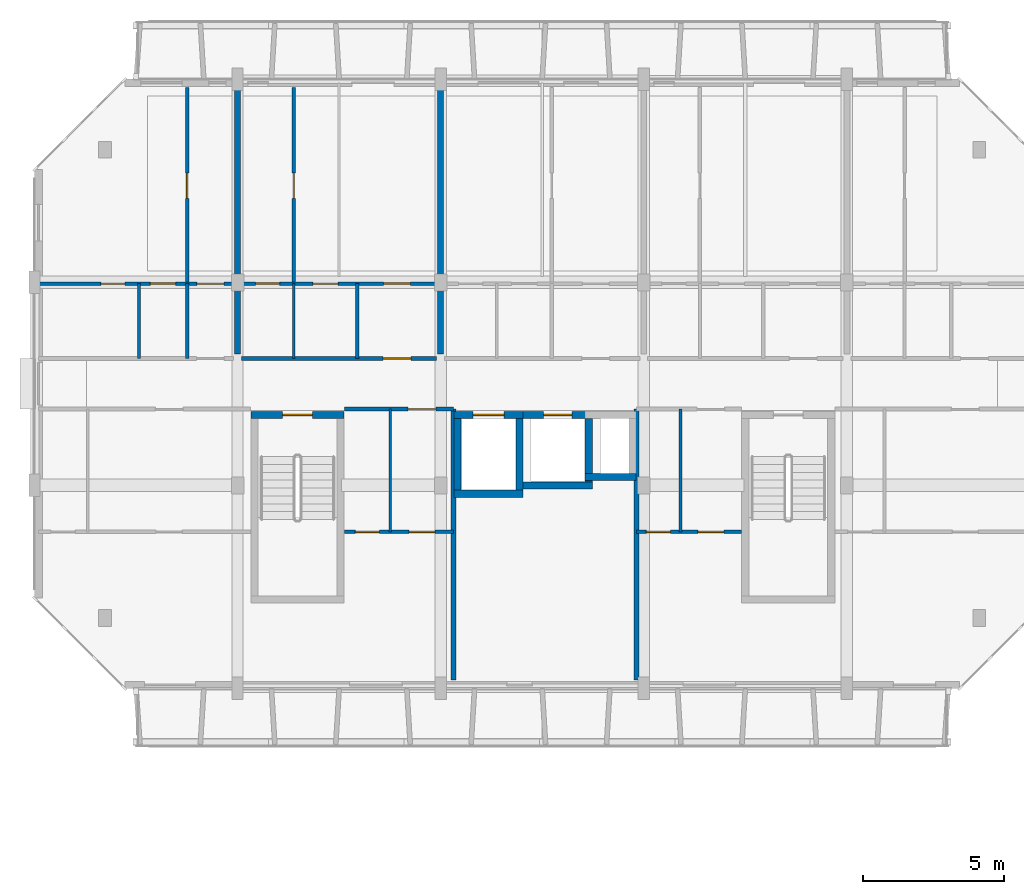
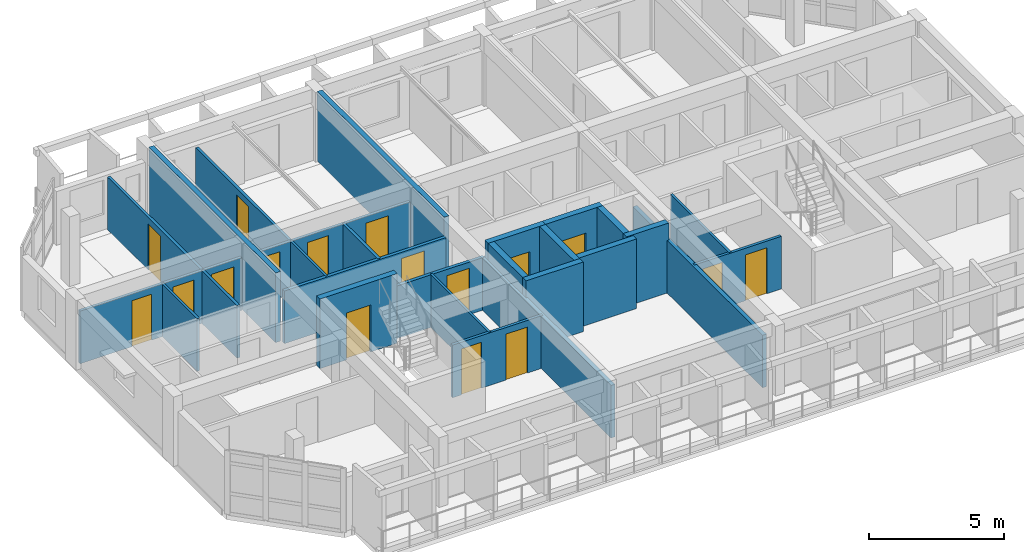
# One storey, part 21 of 46: 27 walls, 17 doors, 17 openings.
"""IFC4 building model written with IfcOpenShell, lengths in metres."""

from ifc_helpers import new_model, si_unit, direction, frame, frame_2d, origin, place, context, subcontext, project, spatial, rectangle, extrude, material, layer, layer_set, type_object, element, fill, save


model = new_model("IFC4")

# Units and contexts
model_context = context("Model", 3, precision=1e-05, world=origin(), true_north=direction((0.0, 1.0)))
body_context = subcontext(model_context, "Body", "Model", "MODEL_VIEW")
ifc_project = project(units=[si_unit("LENGTHUNIT", "METRE"), si_unit("AREAUNIT", "SQUARE_METRE"), si_unit("VOLUMEUNIT", "CUBIC_METRE"), si_unit("PLANEANGLEUNIT", "RADIAN"), si_unit("MASSUNIT", "GRAM", prefix="KILO")], contexts=[model_context])

# Site, building, storey
site_placement = place(None, origin())
site = spatial("IfcSite", under=ifc_project, at=site_placement, CompositionType="ELEMENT")
building_placement = place(site_placement, origin())
building = spatial("IfcBuilding", under=site, at=building_placement, Name="Ochrevale Crest", CompositionType="ELEMENT")
storey_placement = place(building_placement, frame((0.0, 0.0, 24.449951171875)))
storey = spatial("IfcBuildingStorey", under=building, at=storey_placement, Name="L07", CompositionType="ELEMENT", Elevation=24.449951171875)

# Wall, opening, door
ifc_material_1 = material(Name="Gypsum plasterboard", Category="gypsum")
ifc_layer_1 = layer(ifc_material_1, 0.139892578125)
ifc_layer_set_1 = layer_set([ifc_layer_1], Name="Gypsum plasterboard")
wall_type_1 = type_object("IfcWallType", Name="WL-COR-140", PredefinedType="PARTITIONING", material=ifc_layer_set_1)
wall_1_placement = place(storey_placement, frame((7.340087890625, 83.699951171875, 0.0), z_axis=(0.0, 0.0, 1.0), x_axis=(1.0, 0.0, 0.0)))
wall_1 = element("IfcWall", 1, at=wall_1_placement, inside=storey, type_object=wall_type_1, Name="Apartment B-L07-U2 corridor wall", PredefinedType="PARTITIONING", context=body_context, shape_type="SweptSolid", body=[
    extrude(rectangle(XDim=6.919921875, YDim=0.139892578125, at=frame_2d((3.4599609375, 0.0))), origin(), (0.0, 0.0, 1.0), 2.380126953125),
])
opening_1_placement = place(wall_1_placement, frame((5.02001953125, 0.0, 0.0)))
opening_1 = element("IfcOpeningElement", 2, at=opening_1_placement, cuts=wall_1, Name="Opening FD01", PredefinedType="OPENING", context=body_context, shape_type="SweptSolid", body=[
    extrude(rectangle(XDim=0.97998046875, YDim=2.10009765625, at=frame_2d((0.489990234375, 1.050048828125))), frame((0.0, 0.080078125, 0.0), z_axis=(0.0, -1.0, 0.0), x_axis=(1.0, 0.0, 0.0)), (0.0, 0.0, 1.0), 0.159912109375),
])
ifc_material_2 = material(Name="Solid-core FSC hardwood", Category="wood")
door_type_1 = type_object("IfcDoorType", Name="DR-APT-950", OperationType="NOTDEFINED", PredefinedType="DOOR", material=ifc_material_2)
door_1_placement = place(opening_1_placement, origin())
door_1 = element("IfcDoor", 3, at=door_1_placement, inside=storey, type_object=door_type_1, Name="Apartment B-L07-U2 entrance door", OperationType="SINGLE_SWING_LEFT", OverallHeight=2.10009765625, OverallWidth=0.97998046875, PredefinedType="DOOR", context=body_context, shape_type="SweptSolid", body=[
    extrude(rectangle(XDim=0.97998046875, YDim=2.10009765625, at=frame_2d((0.489990234375, 1.050048828125))), frame((0.0, 0.02490234375, 0.0), z_axis=(0.0, -1.0, 0.0), x_axis=(1.0, 0.0, 0.0)), (0.0, 0.0, 1.0), 0.050048828125),
])
fill(opening_1, door_1)

wall_2_placement = place(storey_placement, frame((10.989990234375, 81.89990234375, 0.0), z_axis=(0.0, 0.0, 1.0), x_axis=(1.0, 0.0, 0.0)))
wall_2 = element("IfcWall", 4, at=wall_2_placement, inside=storey, type_object=wall_type_1, Name="Suite B-L07-MW corridor wall", PredefinedType="PARTITIONING", context=body_context, shape_type="SweptSolid", body=[
    extrude(rectangle(XDim=3.8701171875, YDim=0.139892578125, at=frame_2d((1.93505859375, 0.0))), origin(), (0.0, 0.0, 1.0), 2.380126953125),
])
opening_2_placement = place(wall_2_placement, frame((3.23779296875, 0.0, 0.0), z_axis=(0.0, 0.0, 1.0), x_axis=(-1.0, 0.0, 0.0)))
opening_2 = element("IfcOpeningElement", 5, at=opening_2_placement, cuts=wall_2, Name="Opening FD01", PredefinedType="OPENING", context=body_context, shape_type="SweptSolid", body=[
    extrude(rectangle(XDim=0.97998046875, YDim=2.10009765625, at=frame_2d((0.489990234375, 1.050048828125))), frame((0.0, 0.080078125, 0.0), z_axis=(0.0, -1.0, 0.0), x_axis=(1.0, 0.0, 0.0)), (0.0, 0.0, 1.0), 0.159912109375),
])
door_2_placement = place(opening_2_placement, origin())
door_2 = element("IfcDoor", 6, at=door_2_placement, inside=storey, type_object=door_type_1, Name="Suite B-L07-MW entrance door", OperationType="SINGLE_SWING_RIGHT", OverallHeight=2.10009765625, OverallWidth=0.97998046875, PredefinedType="DOOR", context=body_context, shape_type="SweptSolid", body=[
    extrude(rectangle(XDim=0.97998046875, YDim=2.10009765625, at=frame_2d((0.489990234375, 1.050048828125))), frame((0.0, 0.02490234375, 0.0), z_axis=(0.0, -1.0, 0.0), x_axis=(1.0, 0.0, 0.0)), (0.0, 0.0, 1.0), 0.050048828125),
])
fill(opening_2, door_2)

ifc_material_3 = material(Name="Precast concrete C50/60", Category="concrete")
ifc_layer_2 = layer(ifc_material_3, 0.2548828125)
ifc_layer_set_2 = layer_set([ifc_layer_2], Name="Precast concrete C50/60")
wall_type_2 = type_object("IfcWallType", Name="WL-CORE-255", PredefinedType="SHEAR", material=ifc_layer_set_2)
wall_3_placement = place(storey_placement, frame((7.672607421875, 81.699951171875, 0.0), z_axis=(0.0, 0.0, 1.0), x_axis=(1.0, 0.0, 0.0)))
wall_3 = element("IfcWall", 7, at=wall_3_placement, inside=storey, type_object=wall_type_2, Name="Block B L07 Stair 1 precast core shear wall N", PredefinedType="SHEAR", context=body_context, shape_type="SweptSolid", body=[
    extrude(rectangle(XDim=3.304931640625, YDim=0.2548828125, at=frame_2d((1.65234375, 0.0))), origin(), (0.0, 0.0, 1.0), 3.150146484375),
])
opening_3_placement = place(wall_3_placement, frame((2.177490234375, 0.0, 0.0), z_axis=(0.0, 0.0, 1.0), x_axis=(-1.0, 0.0, 0.0)))
opening_3 = element("IfcOpeningElement", 8, at=opening_3_placement, cuts=wall_3, Name="Opening FD03", PredefinedType="OPENING", context=body_context, shape_type="SweptSolid", body=[
    extrude(rectangle(XDim=1.050048828125, YDim=2.1201171875, at=frame_2d((0.52490234375, 1.06005859375))), frame((0.0, 0.137451171875, 0.0), z_axis=(0.0, -1.0, 0.0), x_axis=(1.0, 0.0, 0.0)), (0.0, 0.0, 1.0), 0.27490234375),
])
door_type_2 = type_object("IfcDoorType", Name="DR-ST-1050", OperationType="NOTDEFINED", PredefinedType="DOOR", material=ifc_material_2)
door_3_placement = place(opening_3_placement, origin())
door_3 = element("IfcDoor", 9, at=door_3_placement, inside=storey, type_object=door_type_2, Name="Block B L07 fire stair 1 door", OperationType="SINGLE_SWING_RIGHT", OverallHeight=2.1201171875, OverallWidth=1.050048828125, PredefinedType="DOOR", context=body_context, shape_type="SweptSolid", body=[
    extrude(rectangle(XDim=1.050048828125, YDim=2.1201171875, at=frame_2d((0.52490234375, 1.06005859375))), frame((0.0, 0.02490234375, 0.0), z_axis=(0.0, -1.0, 0.0), x_axis=(1.0, 0.0, 0.0)), (0.0, 0.0, 1.0), 0.050048828125),
])
fill(opening_3, door_3)

# Wall
wall_4_placement = place(storey_placement, frame((14.87255859375, 78.89990234375, 0.0), z_axis=(0.0, 0.0, 1.0), x_axis=(1.0, 0.0, 0.0)))
element("IfcWall", 10, at=wall_4_placement, inside=storey, type_object=wall_type_2, Name="Block B L07 Lift 1 precast shaft shear wall S", PredefinedType="SHEAR", context=body_context, shape_type="SweptSolid", body=[
    extrude(rectangle(XDim=2.454833984375, YDim=0.2548828125, at=frame_2d((1.2275390625, 0.0))), origin(), (0.0, 0.0, 1.0), 3.150146484375),
])

# Wall, opening, door
wall_5_placement = place(storey_placement, frame((14.87255859375, 81.699951171875, 0.0), z_axis=(0.0, 0.0, 1.0), x_axis=(1.0, 0.0, 0.0)))
wall_5 = element("IfcWall", 11, at=wall_5_placement, inside=storey, type_object=wall_type_2, Name="Block B L07 Lift 1 precast shaft shear wall N", PredefinedType="SHEAR", context=body_context, shape_type="SweptSolid", body=[
    extrude(rectangle(XDim=2.454833984375, YDim=0.2548828125, at=frame_2d((1.2275390625, 0.0))), origin(), (0.0, 0.0, 1.0), 3.150146484375),
])
opening_4_placement = place(wall_5_placement, frame((0.677490234375, 0.0, 0.0)))
opening_4 = element("IfcOpeningElement", 12, at=opening_4_placement, cuts=wall_5, Name="Opening LD01", PredefinedType="OPENING", context=body_context, shape_type="SweptSolid", body=[
    extrude(rectangle(XDim=1.10009765625, YDim=2.14990234375, at=frame_2d((0.550048828125, 1.074951171875))), frame((0.0, 0.137451171875, 0.0), z_axis=(0.0, -1.0, 0.0), x_axis=(1.0, 0.0, 0.0)), (0.0, 0.0, 1.0), 0.27490234375),
])
door_type_3 = type_object("IfcDoorType", Name="DR-LIFT-1100", OperationType="NOTDEFINED", PredefinedType="DOOR", material=ifc_material_2)
door_4_placement = place(opening_4_placement, origin())
door_4 = element("IfcDoor", 13, at=door_4_placement, inside=storey, type_object=door_type_3, Name="Lift LF-B1 L07 sliding landing door", OperationType="SLIDING_TO_LEFT", OverallHeight=2.14990234375, OverallWidth=1.10009765625, PredefinedType="DOOR", context=body_context, shape_type="SweptSolid", body=[
    extrude(rectangle(XDim=1.10009765625, YDim=2.14990234375, at=frame_2d((0.550048828125, 1.074951171875))), frame((0.0, 0.02490234375, 0.0), z_axis=(0.0, -1.0, 0.0), x_axis=(1.0, 0.0, 0.0)), (0.0, 0.0, 1.0), 0.050048828125),
])
fill(opening_4, door_4)

# Walls
for number, where, z_axis, x_axis, name in (
    (14, (15.0, 79.027587890625, 0.0), (0.0, 0.0, 1.0), (0.0, 1.0, 0.0), "Block B L07 Lift 1 precast shaft shear wall W"),
    (15, (17.199951171875, 79.027587890625, 0.0), (0.0, 0.0, 1.0), (0.0, 1.0, 0.0), "Block B L07 Lift 1 precast shaft shear wall E"),
):
    element("IfcWall", number, at=place(storey_placement, frame(where, z_axis=z_axis, x_axis=x_axis)), inside=storey, type_object=wall_type_2, Name=name, PredefinedType="SHEAR", context=body_context, shape_type="SweptSolid", body=[
        extrude(rectangle(XDim=2.544921875, YDim=0.2548828125, at=frame_2d((1.2724609375, 0.0))), origin(), (0.0, 0.0, 1.0), 3.150146484375),
    ])
wall_6_placement = place(storey_placement, frame((17.322509765625, 79.199951171875, 0.0), z_axis=(0.0, 0.0, 1.0), x_axis=(1.0, 0.0, 0.0)))
element("IfcWall", 16, at=wall_6_placement, inside=storey, type_object=wall_type_2, Name="Block B L07 Lift 2 precast shaft shear wall S", PredefinedType="SHEAR", context=body_context, shape_type="SweptSolid", body=[
    extrude(rectangle(XDim=2.455078125, YDim=0.2548828125, at=frame_2d((1.2275390625, 0.0))), origin(), (0.0, 0.0, 1.0), 3.150146484375),
])

# Wall, opening, door
wall_7_placement = place(storey_placement, frame((17.322509765625, 81.699951171875, 0.0), z_axis=(0.0, 0.0, 1.0), x_axis=(1.0, 0.0, 0.0)))
wall_7 = element("IfcWall", 17, at=wall_7_placement, inside=storey, type_object=wall_type_2, Name="Block B L07 Lift 2 precast shaft shear wall N", PredefinedType="SHEAR", context=body_context, shape_type="SweptSolid", body=[
    extrude(rectangle(XDim=2.455078125, YDim=0.2548828125, at=frame_2d((1.2275390625, 0.0))), origin(), (0.0, 0.0, 1.0), 3.150146484375),
])
opening_5_placement = place(wall_7_placement, frame((0.7275390625, 0.0, 0.0)))
opening_5 = element("IfcOpeningElement", 18, at=opening_5_placement, cuts=wall_7, Name="Opening LD02", PredefinedType="OPENING", context=body_context, shape_type="SweptSolid", body=[
    extrude(rectangle(XDim=1.0, YDim=2.14990234375, at=frame_2d((0.5, 1.074951171875))), frame((0.0, 0.137451171875, 0.0), z_axis=(0.0, -1.0, 0.0), x_axis=(1.0, 0.0, 0.0)), (0.0, 0.0, 1.0), 0.27490234375),
])
door_type_4 = type_object("IfcDoorType", Name="DR-LIFT-1000", OperationType="NOTDEFINED", PredefinedType="DOOR", material=ifc_material_2)
door_5_placement = place(opening_5_placement, origin())
door_5 = element("IfcDoor", 19, at=door_5_placement, inside=storey, type_object=door_type_4, Name="Lift LP-B2 L07 sliding landing door", OperationType="SLIDING_TO_RIGHT", OverallHeight=2.14990234375, OverallWidth=1.0, PredefinedType="DOOR", context=body_context, shape_type="SweptSolid", body=[
    extrude(rectangle(XDim=1.0, YDim=2.14990234375, at=frame_2d((0.5, 1.074951171875))), frame((0.0, 0.02490234375, 0.0), z_axis=(0.0, -1.0, 0.0), x_axis=(1.0, 0.0, 0.0)), (0.0, 0.0, 1.0), 0.050048828125),
])
fill(opening_5, door_5)

# Walls
wall_8_placement = place(storey_placement, frame((19.64990234375, 79.327392578125, 0.0), z_axis=(0.0, 0.0, 1.0), x_axis=(0.0, 1.0, 0.0)))
element("IfcWall", 20, at=wall_8_placement, inside=storey, type_object=wall_type_2, Name="Block B L07 Lift 2 precast shaft shear wall E", PredefinedType="SHEAR", context=body_context, shape_type="SweptSolid", body=[
    extrude(rectangle(XDim=2.2451171875, YDim=0.2548828125, at=frame_2d((1.12255859375, 0.0))), origin(), (0.0, 0.0, 1.0), 3.150146484375),
])
wall_9_placement = place(storey_placement, frame((19.5224609375, 79.5, 0.0), z_axis=(0.0, 0.0, 1.0), x_axis=(1.0, 0.0, 0.0)))
element("IfcWall", 21, at=wall_9_placement, inside=storey, type_object=wall_type_2, Name="Block B L07 services riser shaft core wall S", PredefinedType="SHEAR", context=body_context, shape_type="SweptSolid", body=[
    extrude(rectangle(XDim=1.804931640625, YDim=0.2548828125, at=frame_2d((0.90234375, 0.0))), origin(), (0.0, 0.0, 1.0), 3.150146484375),
])
ifc_layer_3 = layer(ifc_material_1, 0.1201171875)
ifc_layer_set_3 = layer_set([ifc_layer_3], Name="Gypsum plasterboard")
wall_type_3 = type_object("IfcWallType", Name="WL-PART-120", PredefinedType="PARTITIONING", material=ifc_layer_set_3)
wall_10_placement = place(storey_placement, frame((5.409912109375, 83.699951171875, 0.0), z_axis=(0.0, 0.0, 1.0), x_axis=(0.0, 1.0, 0.0)))
element("IfcWall", 22, at=wall_10_placement, inside=storey, type_object=wall_type_3, Name="Apartment B-L07-U1 kitchen-foyer wall", PredefinedType="PARTITIONING", context=body_context, shape_type="SweptSolid", body=[
    extrude(rectangle(XDim=2.650146484375, YDim=0.1201171875, at=frame_2d((1.3251953125, 0.0))), origin(), (0.0, 0.0, 1.0), 2.380126953125),
])

# Wall, openings, doors
wall_11_placement = place(storey_placement, frame((0.139892578125, 86.35009765625, 0.0), z_axis=(0.0, 0.0, 1.0), x_axis=(1.0, 0.0, 0.0)))
wall_11 = element("IfcWall", 23, at=wall_11_placement, inside=storey, type_object=wall_type_3, Name="Apartment B-L07-U1 central partition", PredefinedType="PARTITIONING", context=body_context, shape_type="SweptSolid", body=[
    extrude(rectangle(XDim=6.920166015625, YDim=0.1201171875, at=frame_2d((3.4599609375, 0.0))), origin(), (0.0, 0.0, 1.0), 2.380126953125),
])
opening_6_placement = place(wall_11_placement, frame((2.2099609375, 0.0, 0.0)))
opening_6 = element("IfcOpeningElement", 24, at=opening_6_placement, cuts=wall_11, Name="Opening ID01", PredefinedType="OPENING", context=body_context, shape_type="SweptSolid", body=[
    extrude(rectangle(XDim=0.85009765625, YDim=2.080078125, at=frame_2d((0.425048828125, 1.0400390625))), frame((0.0, 0.070068359375, 0.0), z_axis=(0.0, -1.0, 0.0), x_axis=(1.0, 0.0, 0.0)), (0.0, 0.0, 1.0), 0.14013671875),
])
opening_7_placement = place(wall_11_placement, frame((4.864990234375, 0.0, 0.0), z_axis=(0.0, 0.0, 1.0), x_axis=(-1.0, 0.0, 0.0)))
opening_7 = element("IfcOpeningElement", 25, at=opening_7_placement, cuts=wall_11, Name="Opening ID02", PredefinedType="OPENING", context=body_context, shape_type="SweptSolid", body=[
    extrude(rectangle(XDim=0.89990234375, YDim=2.080078125, at=frame_2d((0.449951171875, 1.0400390625))), frame((0.0, 0.070068359375, 0.0), z_axis=(0.0, -1.0, 0.0), x_axis=(1.0, 0.0, 0.0)), (0.0, 0.0, 1.0), 0.14013671875),
])
opening_8_placement = place(wall_11_placement, frame((5.6201171875, 0.0, 0.0)))
opening_8 = element("IfcOpeningElement", 26, at=opening_8_placement, cuts=wall_11, Name="Opening ID06", PredefinedType="OPENING", context=body_context, shape_type="SweptSolid", body=[
    extrude(rectangle(XDim=0.949951171875, YDim=2.080078125, at=frame_2d((0.47509765625, 1.0400390625))), frame((0.0, 0.070068359375, 0.0), z_axis=(0.0, -1.0, 0.0), x_axis=(1.0, 0.0, 0.0)), (0.0, 0.0, 1.0), 0.14013671875),
])
door_type_5 = type_object("IfcDoorType", Name="DR-INT-900", OperationType="NOTDEFINED", PredefinedType="DOOR", material=ifc_material_2)
door_6_placement = place(opening_7_placement, origin())
door_6 = element("IfcDoor", 27, at=door_6_placement, inside=storey, type_object=door_type_5, Name="Apartment B-L07-U1 Kitchen door", OperationType="SINGLE_SWING_RIGHT", OverallHeight=2.080078125, OverallWidth=0.89990234375, PredefinedType="DOOR", context=body_context, shape_type="SweptSolid", body=[
    extrude(rectangle(XDim=0.89990234375, YDim=2.080078125, at=frame_2d((0.449951171875, 1.0400390625))), frame((0.0, 0.02490234375, 0.0), z_axis=(0.0, -1.0, 0.0), x_axis=(1.0, 0.0, 0.0)), (0.0, 0.0, 1.0), 0.050048828125),
])
fill(opening_7, door_6)
door_type_6 = type_object("IfcDoorType", Name="DR-INT-950", OperationType="NOTDEFINED", PredefinedType="DOOR", material=ifc_material_2)
door_7_placement = place(opening_8_placement, origin())
door_7 = element("IfcDoor", 28, at=door_7_placement, inside=storey, type_object=door_type_6, Name="Apartment B-L07-U1 Living Foyer door", OperationType="SINGLE_SWING_LEFT", OverallHeight=2.080078125, OverallWidth=0.949951171875, PredefinedType="DOOR", context=body_context, shape_type="SweptSolid", body=[
    extrude(rectangle(XDim=0.949951171875, YDim=2.080078125, at=frame_2d((0.47509765625, 1.0400390625))), frame((0.0, 0.02490234375, 0.0), z_axis=(0.0, -1.0, 0.0), x_axis=(1.0, 0.0, 0.0)), (0.0, 0.0, 1.0), 0.050048828125),
])
fill(opening_8, door_7)
door_type_7 = type_object("IfcDoorType", Name="DR-WC-850", OperationType="NOTDEFINED", PredefinedType="DOOR", material=ifc_material_2)
door_8_placement = place(opening_6_placement, origin())
door_8 = element("IfcDoor", 29, at=door_8_placement, inside=storey, type_object=door_type_7, Name="Apartment B-L07-U1 Bathroom door", OperationType="SINGLE_SWING_LEFT", OverallHeight=2.080078125, OverallWidth=0.85009765625, PredefinedType="DOOR", context=body_context, shape_type="SweptSolid", body=[
    extrude(rectangle(XDim=0.85009765625, YDim=2.080078125, at=frame_2d((0.425048828125, 1.0400390625))), frame((0.0, 0.02490234375, 0.0), z_axis=(0.0, -1.0, 0.0), x_axis=(1.0, 0.0, 0.0)), (0.0, 0.0, 1.0), 0.050048828125),
])
fill(opening_6, door_8)

# Wall, opening, door
wall_12_placement = place(storey_placement, frame((5.409912109375, 86.35009765625, 0.0), z_axis=(0.0, 0.0, 1.0), x_axis=(0.0, 1.0, 0.0)))
wall_12 = element("IfcWall", 30, at=wall_12_placement, inside=storey, type_object=wall_type_3, Name="Apartment B-L07-U1 bedroom partition", PredefinedType="PARTITIONING", context=body_context, shape_type="SweptSolid", body=[
    extrude(rectangle(XDim=6.949951171875, YDim=0.1201171875, at=frame_2d((3.47509765625, 0.0))), origin(), (0.0, 0.0, 1.0), 2.380126953125),
])
opening_9_placement = place(wall_12_placement, frame((3.9248046875, 0.0, 0.0), z_axis=(0.0, 0.0, 1.0), x_axis=(-1.0, 0.0, 0.0)))
opening_9 = element("IfcOpeningElement", 31, at=opening_9_placement, cuts=wall_12, Name="Opening ID02", PredefinedType="OPENING", context=body_context, shape_type="SweptSolid", body=[
    extrude(rectangle(XDim=0.89990234375, YDim=2.080078125, at=frame_2d((0.449951171875, 1.0400390625))), frame((0.0, 0.070068359375, 0.0), z_axis=(0.0, -1.0, 0.0), x_axis=(1.0, 0.0, 0.0)), (0.0, 0.0, 1.0), 0.14013671875),
])
door_9_placement = place(opening_9_placement, origin())
door_9 = element("IfcDoor", 32, at=door_9_placement, inside=storey, type_object=door_type_5, Name="Apartment B-L07-U1 Master Bedroom door", OperationType="SINGLE_SWING_RIGHT", OverallHeight=2.080078125, OverallWidth=0.89990234375, PredefinedType="DOOR", context=body_context, shape_type="SweptSolid", body=[
    extrude(rectangle(XDim=0.89990234375, YDim=2.080078125, at=frame_2d((0.449951171875, 1.0400390625))), frame((0.0, 0.02490234375, 0.0), z_axis=(0.0, -1.0, 0.0), x_axis=(1.0, 0.0, 0.0)), (0.0, 0.0, 1.0), 0.050048828125),
])
fill(opening_9, door_9)

# Wall
wall_13_placement = place(storey_placement, frame((11.43994140625, 83.699951171875, 0.0), z_axis=(0.0, 0.0, 1.0), x_axis=(0.0, 1.0, 0.0)))
element("IfcWall", 33, at=wall_13_placement, inside=storey, type_object=wall_type_3, Name="Apartment B-L07-U2 kitchen-foyer wall", PredefinedType="PARTITIONING", context=body_context, shape_type="SweptSolid", body=[
    extrude(rectangle(XDim=2.650146484375, YDim=0.1201171875, at=frame_2d((1.3251953125, 0.0))), origin(), (0.0, 0.0, 1.0), 2.380126953125),
])

# Wall, openings, doors
wall_14_placement = place(storey_placement, frame((7.340087890625, 86.35009765625, 0.0), z_axis=(0.0, 0.0, 1.0), x_axis=(1.0, 0.0, 0.0)))
wall_14 = element("IfcWall", 34, at=wall_14_placement, inside=storey, type_object=wall_type_3, Name="Apartment B-L07-U2 central partition", PredefinedType="PARTITIONING", context=body_context, shape_type="SweptSolid", body=[
    extrude(rectangle(XDim=6.919921875, YDim=0.1201171875, at=frame_2d((3.4599609375, 0.0))), origin(), (0.0, 0.0, 1.0), 2.380126953125),
])
opening_10_placement = place(wall_14_placement, frame((1.35009765625, 0.0, 0.0), z_axis=(0.0, 0.0, 1.0), x_axis=(-1.0, 0.0, 0.0)))
opening_10 = element("IfcOpeningElement", 35, at=opening_10_placement, cuts=wall_14, Name="Opening ID01", PredefinedType="OPENING", context=body_context, shape_type="SweptSolid", body=[
    extrude(rectangle(XDim=0.85009765625, YDim=2.080078125, at=frame_2d((0.425048828125, 1.0400390625))), frame((0.0, 0.070068359375, 0.0), z_axis=(0.0, -1.0, 0.0), x_axis=(1.0, 0.0, 0.0)), (0.0, 0.0, 1.0), 0.14013671875),
])
opening_11_placement = place(wall_14_placement, frame((2.52490234375, 0.0, 0.0)))
opening_11 = element("IfcOpeningElement", 36, at=opening_11_placement, cuts=wall_14, Name="Opening ID02", PredefinedType="OPENING", context=body_context, shape_type="SweptSolid", body=[
    extrude(rectangle(XDim=0.89990234375, YDim=2.080078125, at=frame_2d((0.449951171875, 1.0400390625))), frame((0.0, 0.070068359375, 0.0), z_axis=(0.0, -1.0, 0.0), x_axis=(1.0, 0.0, 0.0)), (0.0, 0.0, 1.0), 0.14013671875),
])
opening_12_placement = place(wall_14_placement, frame((5.98486328125, 0.0, 0.0), z_axis=(0.0, 0.0, 1.0), x_axis=(-1.0, 0.0, 0.0)))
opening_12 = element("IfcOpeningElement", 37, at=opening_12_placement, cuts=wall_14, Name="Opening ID06", PredefinedType="OPENING", context=body_context, shape_type="SweptSolid", body=[
    extrude(rectangle(XDim=0.949951171875, YDim=2.080078125, at=frame_2d((0.47509765625, 1.0400390625))), frame((0.0, 0.070068359375, 0.0), z_axis=(0.0, -1.0, 0.0), x_axis=(1.0, 0.0, 0.0)), (0.0, 0.0, 1.0), 0.14013671875),
])
door_10_placement = place(opening_11_placement, origin())
door_10 = element("IfcDoor", 38, at=door_10_placement, inside=storey, type_object=door_type_5, Name="Apartment B-L07-U2 Kitchen door", OperationType="SINGLE_SWING_LEFT", OverallHeight=2.080078125, OverallWidth=0.89990234375, PredefinedType="DOOR", context=body_context, shape_type="SweptSolid", body=[
    extrude(rectangle(XDim=0.89990234375, YDim=2.080078125, at=frame_2d((0.449951171875, 1.0400390625))), frame((0.0, 0.02490234375, 0.0), z_axis=(0.0, -1.0, 0.0), x_axis=(1.0, 0.0, 0.0)), (0.0, 0.0, 1.0), 0.050048828125),
])
fill(opening_11, door_10)
door_11_placement = place(opening_12_placement, origin())
door_11 = element("IfcDoor", 39, at=door_11_placement, inside=storey, type_object=door_type_6, Name="Apartment B-L07-U2 Living Foyer door", OperationType="SINGLE_SWING_RIGHT", OverallHeight=2.080078125, OverallWidth=0.949951171875, PredefinedType="DOOR", context=body_context, shape_type="SweptSolid", body=[
    extrude(rectangle(XDim=0.949951171875, YDim=2.080078125, at=frame_2d((0.47509765625, 1.0400390625))), frame((0.0, 0.02490234375, 0.0), z_axis=(0.0, -1.0, 0.0), x_axis=(1.0, 0.0, 0.0)), (0.0, 0.0, 1.0), 0.050048828125),
])
fill(opening_12, door_11)
door_12_placement = place(opening_10_placement, origin())
door_12 = element("IfcDoor", 40, at=door_12_placement, inside=storey, type_object=door_type_7, Name="Apartment B-L07-U2 Bathroom door", OperationType="SINGLE_SWING_RIGHT", OverallHeight=2.080078125, OverallWidth=0.85009765625, PredefinedType="DOOR", context=body_context, shape_type="SweptSolid", body=[
    extrude(rectangle(XDim=0.85009765625, YDim=2.080078125, at=frame_2d((0.425048828125, 1.0400390625))), frame((0.0, 0.02490234375, 0.0), z_axis=(0.0, -1.0, 0.0), x_axis=(1.0, 0.0, 0.0)), (0.0, 0.0, 1.0), 0.050048828125),
])
fill(opening_10, door_12)

# Wall, opening, door
wall_15_placement = place(storey_placement, frame((9.18994140625, 86.35009765625, 0.0), z_axis=(0.0, 0.0, 1.0), x_axis=(0.0, 1.0, 0.0)))
wall_15 = element("IfcWall", 41, at=wall_15_placement, inside=storey, type_object=wall_type_3, Name="Apartment B-L07-U2 bedroom partition", PredefinedType="PARTITIONING", context=body_context, shape_type="SweptSolid", body=[
    extrude(rectangle(XDim=6.949951171875, YDim=0.1201171875, at=frame_2d((3.47509765625, 0.0))), origin(), (0.0, 0.0, 1.0), 2.380126953125),
])
opening_13_placement = place(wall_15_placement, frame((3.02490234375, 0.0, 0.0)))
opening_13 = element("IfcOpeningElement", 42, at=opening_13_placement, cuts=wall_15, Name="Opening ID02", PredefinedType="OPENING", context=body_context, shape_type="SweptSolid", body=[
    extrude(rectangle(XDim=0.89990234375, YDim=2.080078125, at=frame_2d((0.449951171875, 1.0400390625))), frame((0.0, 0.070068359375, 0.0), z_axis=(0.0, -1.0, 0.0), x_axis=(1.0, 0.0, 0.0)), (0.0, 0.0, 1.0), 0.14013671875),
])
door_13_placement = place(opening_13_placement, origin())
door_13 = element("IfcDoor", 43, at=door_13_placement, inside=storey, type_object=door_type_5, Name="Apartment B-L07-U2 Twin Bedroom door", OperationType="SINGLE_SWING_LEFT", OverallHeight=2.080078125, OverallWidth=0.89990234375, PredefinedType="DOOR", context=body_context, shape_type="SweptSolid", body=[
    extrude(rectangle(XDim=0.89990234375, YDim=2.080078125, at=frame_2d((0.449951171875, 1.0400390625))), frame((0.0, 0.02490234375, 0.0), z_axis=(0.0, -1.0, 0.0), x_axis=(1.0, 0.0, 0.0)), (0.0, 0.0, 1.0), 0.050048828125),
])
fill(opening_13, door_13)

# Wall, openings, doors
wall_16_placement = place(storey_placement, frame((10.989990234375, 77.550048828125, 0.0), z_axis=(0.0, 0.0, 1.0), x_axis=(1.0, 0.0, 0.0)))
wall_16 = element("IfcWall", 44, at=wall_16_placement, inside=storey, type_object=wall_type_3, Name="Suite B-L07-MW internal wall", PredefinedType="PARTITIONING", context=body_context, shape_type="SweptSolid", body=[
    extrude(rectangle(XDim=3.8701171875, YDim=0.1201171875, at=frame_2d((1.93505859375, 0.0))), origin(), (0.0, 0.0, 1.0), 2.380126953125),
])
opening_14_placement = place(wall_16_placement, frame((0.3876953125, 0.0, 0.0)))
opening_14 = element("IfcOpeningElement", 45, at=opening_14_placement, cuts=wall_16, Name="Opening ID01", PredefinedType="OPENING", context=body_context, shape_type="SweptSolid", body=[
    extrude(rectangle(XDim=0.85009765625, YDim=2.080078125, at=frame_2d((0.425048828125, 1.0400390625))), frame((0.0, 0.070068359375, 0.0), z_axis=(0.0, -1.0, 0.0), x_axis=(1.0, 0.0, 0.0)), (0.0, 0.0, 1.0), 0.14013671875),
])
opening_15_placement = place(wall_16_placement, frame((3.20751953125, 0.0, 0.0), z_axis=(0.0, 0.0, 1.0), x_axis=(-1.0, 0.0, 0.0)))
opening_15 = element("IfcOpeningElement", 46, at=opening_15_placement, cuts=wall_16, Name="Opening ID04", PredefinedType="OPENING", context=body_context, shape_type="SweptSolid", body=[
    extrude(rectangle(XDim=0.919921875, YDim=2.080078125, at=frame_2d((0.4599609375, 1.0400390625))), frame((0.0, 0.070068359375, 0.0), z_axis=(0.0, -1.0, 0.0), x_axis=(1.0, 0.0, 0.0)), (0.0, 0.0, 1.0), 0.14013671875),
])
door_type_8 = type_object("IfcDoorType", Name="DR-INT-920", OperationType="NOTDEFINED", PredefinedType="DOOR", material=ifc_material_2)
door_14_placement = place(opening_15_placement, origin())
door_14 = element("IfcDoor", 47, at=door_14_placement, inside=storey, type_object=door_type_8, Name="Suite B-L07-MW Courtyard Studio Living door", OperationType="SINGLE_SWING_RIGHT", OverallHeight=2.080078125, OverallWidth=0.919921875, PredefinedType="DOOR", context=body_context, shape_type="SweptSolid", body=[
    extrude(rectangle(XDim=0.919921875, YDim=2.080078125, at=frame_2d((0.4599609375, 1.0400390625))), frame((0.0, 0.02490234375, 0.0), z_axis=(0.0, -1.0, 0.0), x_axis=(1.0, 0.0, 0.0)), (0.0, 0.0, 1.0), 0.050048828125),
])
fill(opening_15, door_14)
door_15_placement = place(opening_14_placement, origin())
door_15 = element("IfcDoor", 48, at=door_15_placement, inside=storey, type_object=door_type_7, Name="Suite B-L07-MW Bathroom door", OperationType="SINGLE_SWING_LEFT", OverallHeight=2.080078125, OverallWidth=0.85009765625, PredefinedType="DOOR", context=body_context, shape_type="SweptSolid", body=[
    extrude(rectangle(XDim=0.85009765625, YDim=2.080078125, at=frame_2d((0.425048828125, 1.0400390625))), frame((0.0, 0.02490234375, 0.0), z_axis=(0.0, -1.0, 0.0), x_axis=(1.0, 0.0, 0.0)), (0.0, 0.0, 1.0), 0.050048828125),
])
fill(opening_14, door_15)

wall_17_placement = place(storey_placement, frame((21.340087890625, 77.550048828125, 0.0), z_axis=(0.0, 0.0, 1.0), x_axis=(1.0, 0.0, 0.0)))
wall_17 = element("IfcWall", 49, at=wall_17_placement, inside=storey, type_object=wall_type_3, Name="Suite B-L07-ME internal wall", PredefinedType="PARTITIONING", context=body_context, shape_type="SweptSolid", body=[
    extrude(rectangle(XDim=3.719970703125, YDim=0.1201171875, at=frame_2d((1.85986328125, 0.0))), origin(), (0.0, 0.0, 1.0), 2.380126953125),
])
opening_16_placement = place(wall_17_placement, frame((1.206298828125, 0.0, 0.0), z_axis=(0.0, 0.0, 1.0), x_axis=(-1.0, 0.0, 0.0)))
opening_16 = element("IfcOpeningElement", 50, at=opening_16_placement, cuts=wall_17, Name="Opening ID01", PredefinedType="OPENING", context=body_context, shape_type="SweptSolid", body=[
    extrude(rectangle(XDim=0.85009765625, YDim=2.080078125, at=frame_2d((0.425048828125, 1.0400390625))), frame((0.0, 0.070068359375, 0.0), z_axis=(0.0, -1.0, 0.0), x_axis=(1.0, 0.0, 0.0)), (0.0, 0.0, 1.0), 0.14013671875),
])
opening_17_placement = place(wall_17_placement, frame((2.18115234375, 0.0, 0.0)))
opening_17 = element("IfcOpeningElement", 51, at=opening_17_placement, cuts=wall_17, Name="Opening ID04", PredefinedType="OPENING", context=body_context, shape_type="SweptSolid", body=[
    extrude(rectangle(XDim=0.919921875, YDim=2.080078125, at=frame_2d((0.4599609375, 1.0400390625))), frame((0.0, 0.070068359375, 0.0), z_axis=(0.0, -1.0, 0.0), x_axis=(1.0, 0.0, 0.0)), (0.0, 0.0, 1.0), 0.14013671875),
])
door_16_placement = place(opening_17_placement, origin())
door_16 = element("IfcDoor", 52, at=door_16_placement, inside=storey, type_object=door_type_8, Name="Suite B-L07-ME Garden Alcove Studio door", OperationType="SINGLE_SWING_LEFT", OverallHeight=2.080078125, OverallWidth=0.919921875, PredefinedType="DOOR", context=body_context, shape_type="SweptSolid", body=[
    extrude(rectangle(XDim=0.919921875, YDim=2.080078125, at=frame_2d((0.4599609375, 1.0400390625))), frame((0.0, 0.02490234375, 0.0), z_axis=(0.0, -1.0, 0.0), x_axis=(1.0, 0.0, 0.0)), (0.0, 0.0, 1.0), 0.050048828125),
])
fill(opening_17, door_16)
door_17_placement = place(opening_16_placement, origin())
door_17 = element("IfcDoor", 53, at=door_17_placement, inside=storey, type_object=door_type_7, Name="Suite B-L07-ME Bathroom door", OperationType="SINGLE_SWING_RIGHT", OverallHeight=2.080078125, OverallWidth=0.85009765625, PredefinedType="DOOR", context=body_context, shape_type="SweptSolid", body=[
    extrude(rectangle(XDim=0.85009765625, YDim=2.080078125, at=frame_2d((0.425048828125, 1.0400390625))), frame((0.0, 0.02490234375, 0.0), z_axis=(0.0, -1.0, 0.0), x_axis=(1.0, 0.0, 0.0)), (0.0, 0.0, 1.0), 0.050048828125),
])
fill(opening_16, door_17)

# Walls
ifc_material_4 = material(Name="Precast concrete C40/50", Category="concrete")
ifc_layer_4 = layer(ifc_material_4, 0.2099609375)
ifc_layer_set_4 = layer_set([ifc_layer_4], Name="Precast concrete C40/50")
wall_type_4 = type_object("IfcWallType", Name="WL-SHEAR-210", PredefinedType="SHEAR", material=ifc_layer_set_4)
for number, where, z_axis, x_axis, name in (
    (54, (7.199951171875, 83.85009765625, 0.0), (0.0, 0.0, 1.0), (0.0, 1.0, 0.0), "Block B L07 load-bearing precast cross-wall X=7.2"),
    (55, (14.39990234375, 83.85009765625, 0.0), (0.0, 0.0, 1.0), (0.0, 1.0, 0.0), "Block B L07 load-bearing precast cross-wall X=14.4"),
):
    element("IfcWall", number, at=place(storey_placement, frame(where, z_axis=z_axis, x_axis=x_axis)), inside=storey, type_object=wall_type_4, Name=name, PredefinedType="SHEAR", context=body_context, shape_type="SweptSolid", body=[
        extrude(rectangle(XDim=9.39990234375, YDim=0.2099609375, at=frame_2d((4.699951171875, 0.0))), origin(), (0.0, 0.0, 1.0), 3.150146484375),
    ])
ifc_layer_5 = layer(ifc_material_1, 0.169921875)
ifc_layer_set_5 = layer_set([ifc_layer_5], Name="Gypsum plasterboard")
wall_type_5 = type_object("IfcWallType", Name="WL-TEN-170", PredefinedType="PARTITIONING", material=ifc_layer_set_5)
for number, where, z_axis, x_axis, name in (
    (56, (14.860107421875, 72.300048828125, 0.0), (0.0, 0.0, 1.0), (0.0, 1.0, 0.0), "Suite B-L07-MW east party wall"),
    (57, (21.340087890625, 72.300048828125, 0.0), (0.0, 0.0, 1.0), (0.0, 1.0, 0.0), "Suite B-L07-ME west party wall"),
):
    element("IfcWall", number, at=place(storey_placement, frame(where, z_axis=z_axis, x_axis=x_axis)), inside=storey, type_object=wall_type_5, Name=name, PredefinedType="PARTITIONING", context=body_context, shape_type="SweptSolid", body=[
        extrude(rectangle(XDim=9.599853515625, YDim=0.169921875, at=frame_2d((4.7998046875, 0.0))), origin(), (0.0, 0.0, 1.0), 2.380126953125),
    ])
ifc_layer_6 = layer(ifc_material_1, 0.10009765625)
ifc_layer_set_6 = layer_set([ifc_layer_6], Name="Gypsum plasterboard")
wall_type_6 = type_object("IfcWallType", Name="WL-WET-100", PredefinedType="PARTITIONING", material=ifc_layer_set_6)
for number, where, z_axis, x_axis, name in (
    (58, (3.699951171875, 83.699951171875, 0.0), (0.0, 0.0, 1.0), (0.0, 1.0, 0.0), "Apartment B-L07-U1 bath-kitchen wall"),
    (59, (9.18994140625, 83.699951171875, 0.0), (0.0, 0.0, 1.0), (0.0, 1.0, 0.0), "Apartment B-L07-U2 bath-kitchen wall"),
):
    element("IfcWall", number, at=place(storey_placement, frame(where, z_axis=z_axis, x_axis=x_axis)), inside=storey, type_object=wall_type_6, Name=name, PredefinedType="PARTITIONING", context=body_context, shape_type="SweptSolid", body=[
        extrude(rectangle(XDim=2.650146484375, YDim=0.10009765625, at=frame_2d((1.3251953125, 0.0))), origin(), (0.0, 0.0, 1.0), 2.380126953125),
    ])
for number, where, z_axis, x_axis, name in (
    (60, (12.615478515625, 77.550048828125, 0.0), (0.0, 0.0, 1.0), (0.0, 1.0, 0.0), "Suite B-L07-MW bathroom divider"),
    (61, (22.90234375, 77.550048828125, 0.0), (0.0, 0.0, 1.0), (0.0, 1.0, 0.0), "Suite B-L07-ME bathroom divider"),
):
    element("IfcWall", number, at=place(storey_placement, frame(where, z_axis=z_axis, x_axis=x_axis)), inside=storey, type_object=wall_type_6, Name=name, PredefinedType="PARTITIONING", context=body_context, shape_type="SweptSolid", body=[
        extrude(rectangle(XDim=4.349853515625, YDim=0.10009765625, at=frame_2d((2.1748046875, 0.0))), origin(), (0.0, 0.0, 1.0), 2.380126953125),
    ])

save(model, "model.ifc")
